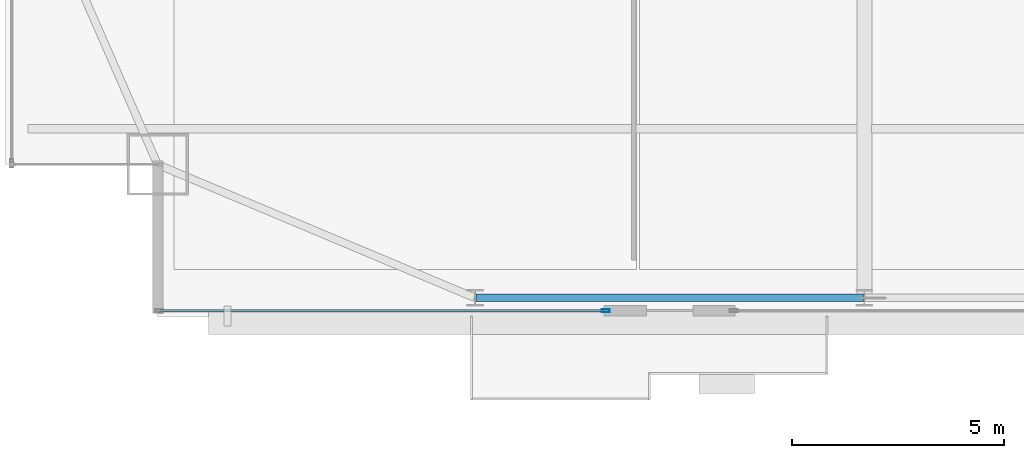
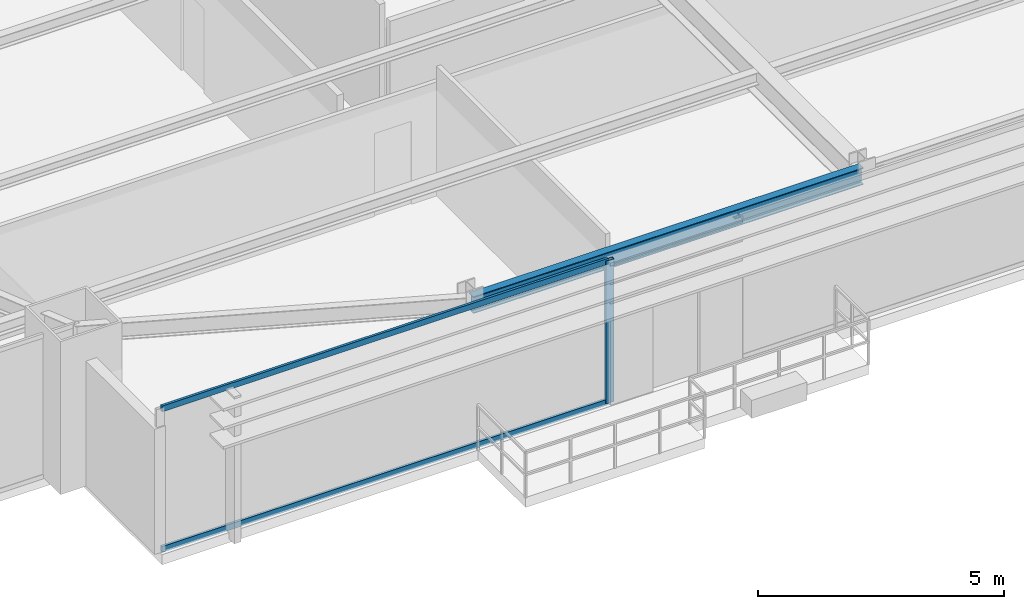
# One storey, part 4 of 36: 3 members, 1 beam, 1 element without a shape of its own.
"""IFC4 building model written with IfcOpenShell, lengths in metres."""

from ifc_helpers import new_model, si_unit, direction, frame, origin, origin_2d, place, context, subcontext, project, spatial, hollow_rectangle, i_section, extrude, source, transform, mapped, material, layer, layer_set, material_profile, profile_set, type_object, type_shapes, element, aggregate, save


model = new_model("IFC4")

# Units and contexts
model_context = context("Model", 3, precision=1e-05, world=origin(), true_north=direction((0.0, 1.0)))
body_context = subcontext(model_context, "Body", "Model", "MODEL_VIEW")
ifc_project = project(units=[si_unit("LENGTHUNIT", "METRE"), si_unit("AREAUNIT", "SQUARE_METRE"), si_unit("VOLUMEUNIT", "CUBIC_METRE"), si_unit("PLANEANGLEUNIT", "RADIAN"), si_unit("MASSUNIT", "GRAM", prefix="KILO")], contexts=[model_context])

# Site, building, storey
site_placement = place(None, origin())
site = spatial("IfcSite", under=ifc_project, at=site_placement, CompositionType="ELEMENT")
building_placement = place(site_placement, origin())
building = spatial("IfcBuilding", under=site, at=building_placement, Name="Varnel Quay Broadcast Tower", CompositionType="ELEMENT")
storey_placement = place(building_placement, frame((0.0, 0.0, 114.39990234375)))
storey = spatial("IfcBuildingStorey", under=building, at=storey_placement, Name="L27", CompositionType="ELEMENT", Elevation=114.39990234375)

# Beam
ifc_material_1 = material(Name="Structural Steel CSA G40.21 350W", Category="steel")
ifc_material_profile_1 = material_profile(ifc_material_1, i_section(OverallWidth=0.180908203125, OverallDepth=0.4169921875, WebThickness=0.010986328125, FlangeThickness=0.018310546875, FilletRadius=0.011962890625, at=origin_2d()), Name="W410X85")
ifc_profile_set_1 = profile_set([ifc_material_profile_1], Name="Structural Steel CSA G40.21 350W")
beam_type = type_object("IfcBeamType", Name="Beam_W410X85", PredefinedType="SPANDREL", material=ifc_profile_set_1)
shared_shape_1 = source(origin(), body_context, "Body", "SweptSolid", [
    extrude(i_section(OverallWidth=0.180908203125, OverallDepth=0.4169921875, WebThickness=0.010986328125, FlangeThickness=0.018310546875, FilletRadius=0.011962890625, at=origin_2d()), origin(), (0.0, 0.0, 1.0), 9.159912109375),
])
type_shapes(beam_type, [shared_shape_1])
beam_placement = place(storey_placement, frame((15.6201171875, 4.64990234375, 3.341552734375), z_axis=(1.0, 0.0, 0.0), x_axis=(0.0, 1.0, 0.0)))
element("IfcBeam", 1, at=beam_placement, inside=storey, type_object=beam_type, Name="L27 South Spandrel TC-S1-TC-S2", PredefinedType="SPANDREL", context=body_context, shape_type="MappedRepresentation", body=[
    mapped(shared_shape_1, transform((0.0, 0.0, 0.0), x_axis=(1.0, 0.0, 0.0), y_axis=(0.0, 1.0, 0.0), z_axis=(0.0, 0.0, 1.0), scale=1.0)),
])

# Curtain wall, members
ifc_material_2 = material(Name="Anodised Bronze Aluminium 6063-T6", Category="aluminium")
ifc_layer = layer(ifc_material_2, 0.18994140625, Name="Anodised Bronze Aluminium 6063-T6")
ifc_layer_set = layer_set([ifc_layer], Name="Anodised Bronze Aluminium 6063-T6")
curtain_wall_type = type_object("IfcCurtainWallType", Name="CW_LowerTower", PredefinedType="NOTDEFINED", material=ifc_layer_set)
curtain_wall_placement = place(storey_placement, origin())
curtain_wall = element("IfcCurtainWall", 2, at=curtain_wall_placement, inside=storey, type_object=curtain_wall_type, Name="L27 South Unitised Curtain Wall 1", PredefinedType="NOTDEFINED")
ifc_material_profile_2 = material_profile(ifc_material_2, hollow_rectangle(XDim=0.070068359375, YDim=0.18994140625, WallThickness=0.00390625, at=origin_2d()), Name="ALU70X190X4")
ifc_profile_set_2 = profile_set([ifc_material_profile_2], Name="Anodised Bronze Aluminium 6063-T6")
member_type_1 = type_object("IfcMemberType", Name="Mull_CWS-02", PredefinedType="MULLION", material=ifc_profile_set_2)
shared_shape_2 = source(origin(), body_context, "Body", "SweptSolid", [
    extrude(hollow_rectangle(XDim=0.070068359375, YDim=0.18994140625, WallThickness=0.00390625, at=origin_2d()), origin(), (0.0, 0.0, 1.0), 3.550048828125),
])
type_shapes(member_type_1, [shared_shape_2])
member_1_placement = place(storey_placement, frame((18.68505859375, 4.35009765625, 0.0), z_axis=(0.0, 0.0, 1.0), x_axis=(0.0, 1.0, 0.0)))
member_1 = element("IfcMember", 3, at=member_1_placement, type_object=member_type_1, Name="CWS-02 mullion 2", PredefinedType="MULLION", context=body_context, shape_type="MappedRepresentation", body=[
    mapped(shared_shape_2, transform((0.0, 0.0, 0.0), x_axis=(1.0, 0.0, 0.0), y_axis=(0.0, 1.0, 0.0), z_axis=(0.0, 0.0, 1.0), scale=1.0)),
])
ifc_material_profile_3 = material_profile(ifc_material_2, hollow_rectangle(XDim=0.06005859375, YDim=0.14501953125, WallThickness=0.00341796875, at=origin_2d()), Name="ALU60X145X3.5")
ifc_profile_set_3 = profile_set([ifc_material_profile_3], Name="Anodised Bronze Aluminium 6063-T6")
member_type_2 = type_object("IfcMemberType", Name="Tran_CWS-02", PredefinedType="USERDEFINED", material=ifc_profile_set_3)
shared_shape_3 = source(origin(), body_context, "Body", "SweptSolid", [
    extrude(hollow_rectangle(XDim=0.06005859375, YDim=0.14501953125, WallThickness=0.00341796875, at=origin_2d()), origin(), (0.0, 0.0, 1.0), 10.47998046875),
])
type_shapes(member_type_2, [shared_shape_3])
member_2_placement = place(storey_placement, frame((8.169921875, 4.35009765625, 0.030029296875), z_axis=(1.0, 0.0, 0.0), x_axis=(0.0, 1.0, 0.0)))
member_2 = element("IfcMember", 4, at=member_2_placement, type_object=member_type_2, Name="CWS-02 transom 1.1", ObjectType="TRANSOM", PredefinedType="USERDEFINED", context=body_context, shape_type="MappedRepresentation", body=[
    mapped(shared_shape_3, transform((0.0, 0.0, 0.0), x_axis=(1.0, 0.0, 0.0), y_axis=(0.0, 1.0, 0.0), z_axis=(0.0, 0.0, 1.0), scale=1.0)),
])
member_3_placement = place(storey_placement, frame((8.169921875, 4.35009765625, 3.52001953125), z_axis=(1.0, 0.0, 0.0), x_axis=(0.0, 1.0, 0.0)))
member_3 = element("IfcMember", 5, at=member_3_placement, type_object=member_type_2, Name="CWS-02 transom 1.2", ObjectType="TRANSOM", PredefinedType="USERDEFINED", context=body_context, shape_type="MappedRepresentation", body=[
    mapped(shared_shape_3, transform((0.0, 0.0, 0.0), x_axis=(1.0, 0.0, 0.0), y_axis=(0.0, 1.0, 0.0), z_axis=(0.0, 0.0, 1.0), scale=1.0)),
])
aggregate(curtain_wall, [member_1, member_2, member_3])

save(model, "model.ifc")
